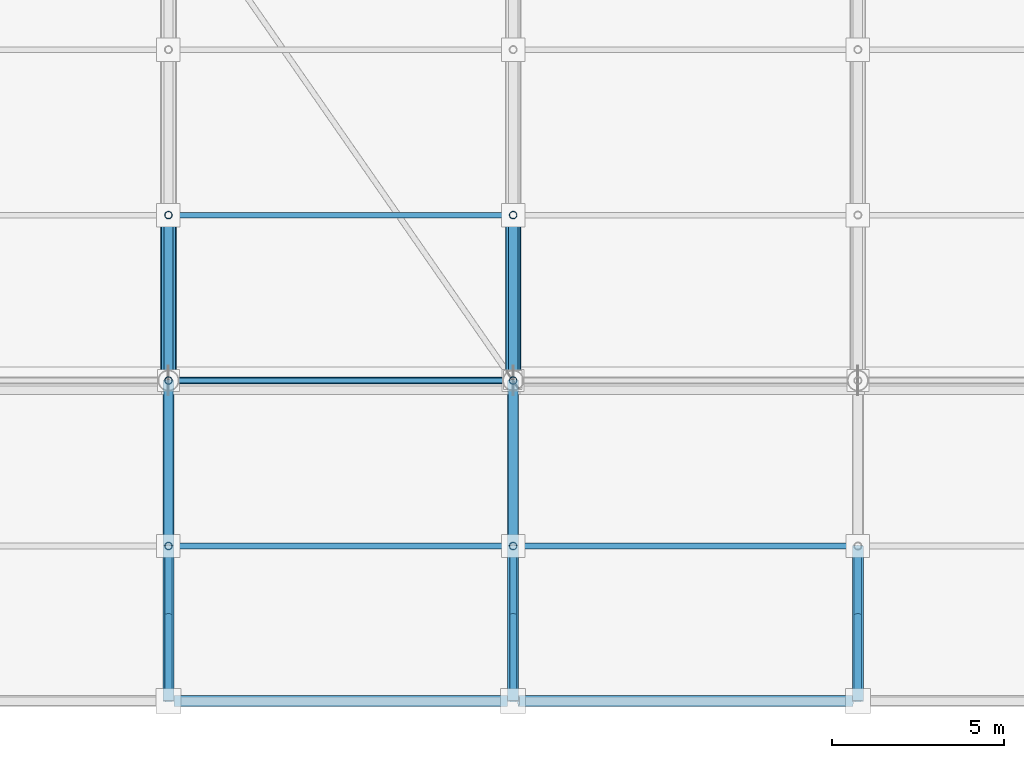
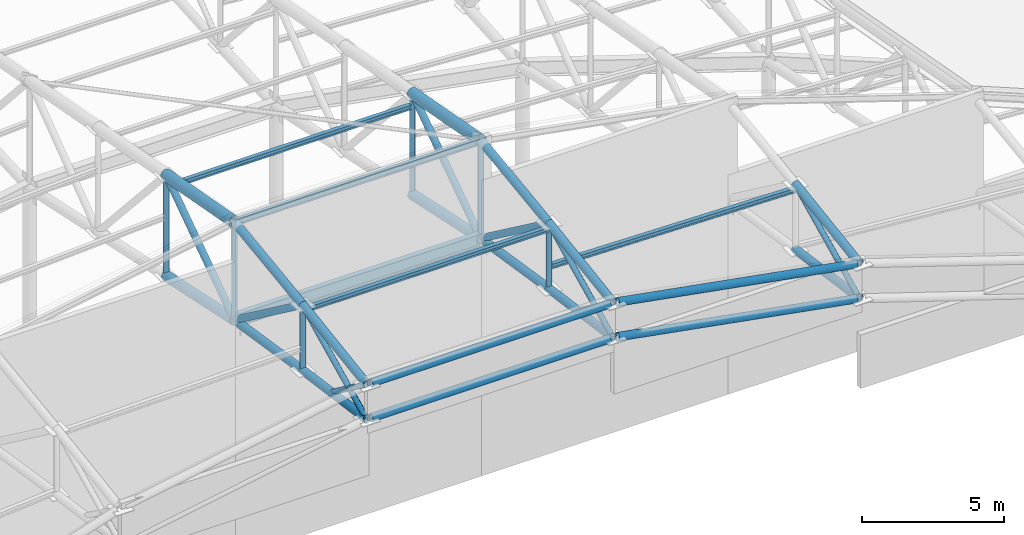
# One storey, part 32 of 146: 37 members, 2 beams.
"""IFC4 building model written with IfcOpenShell, lengths in metres."""

from ifc_helpers import new_model, si_unit, direction, frame, origin, origin_2d, place, context, subcontext, project, spatial, hollow_circle, i_section, extrude, material, material_profile, profile_set, type_object, element, save


model = new_model("IFC4")

# Units and contexts
model_context = context("Model", 3, precision=1e-05, world=origin(), true_north=direction((0.0, 1.0)))
body_context = subcontext(model_context, "Body", "Model", "MODEL_VIEW")
ifc_project = project(units=[si_unit("LENGTHUNIT", "METRE"), si_unit("AREAUNIT", "SQUARE_METRE"), si_unit("VOLUMEUNIT", "CUBIC_METRE"), si_unit("PLANEANGLEUNIT", "RADIAN"), si_unit("MASSUNIT", "GRAM", prefix="KILO")], contexts=[model_context])

# Site, building, storey
site_placement = place(None, origin())
site = spatial("IfcSite", under=ifc_project, at=site_placement, CompositionType="ELEMENT")
building_placement = place(site_placement, origin())
building = spatial("IfcBuilding", under=site, at=building_placement, Name="Candeia Ridge Stadium", CompositionType="ELEMENT")
storey_placement = place(building_placement, frame((0.0, 0.0, 31.800048828125)))
storey = spatial("IfcBuildingStorey", under=building, at=storey_placement, Name="RF", CompositionType="ELEMENT", Elevation=31.800048828125)

# Beams
ifc_material = material(Name="Steel ASTM A572 Grade 50", Category="steel")
ifc_material_profile_1 = material_profile(ifc_material, i_section(OverallWidth=0.14794921875, OverallDepth=0.26611328125, WebThickness=0.007568359375, FlangeThickness=0.012939453125, FilletRadius=0.010986328125, at=origin_2d()), Name="W250x44.8", Category="steel")
ifc_profile_set_1 = profile_set([ifc_material_profile_1], Name="Steel ASTM A572 Grade 50")
beam_type_1 = type_object("IfcBeamType", Name="Canopy Edge Spandrel W250x44.8", PredefinedType="SPANDREL", material=ifc_profile_set_1)
beam_1_placement = place(storey_placement, frame((101.0400390625, 19.0, 13.76416015625), z_axis=(1.0, 0.0, 0.0), x_axis=(0.0, 1.0, 0.0)))
element("IfcBeam", 1, at=beam_1_placement, inside=storey, type_object=beam_type_1, Name="Roof crown cap ring beam bay 22", PredefinedType="SPANDREL", context=body_context, shape_type="SweptSolid", body=[
    extrude(i_section(OverallWidth=0.14794921875, OverallDepth=0.26611328125, WebThickness=0.007568359375, FlangeThickness=0.012939453125, FilletRadius=0.010986328125, at=origin_2d()), origin(), (0.0, 0.0, 1.0), 9.919921875),
])
ifc_material_profile_2 = material_profile(ifc_material, i_section(OverallWidth=0.2119140625, OverallDepth=0.5439453125, WebThickness=0.01318359375, FlangeThickness=0.021240234375, FilletRadius=0.013916015625, at=origin_2d()), Name="W530x123", Category="steel")
ifc_profile_set_2 = profile_set([ifc_material_profile_2], Name="Steel ASTM A572 Grade 50")
beam_type_2 = type_object("IfcBeamType", Name="Roof Perimeter Ring Beam W530x123", PredefinedType="BEAM", material=ifc_profile_set_2)
beam_2_placement = place(storey_placement, frame((101.0400390625, 19.0, 9.564208984375), z_axis=(1.0, 0.0, 0.0), x_axis=(0.0, 1.0, 0.0)))
element("IfcBeam", 2, at=beam_2_placement, inside=storey, type_object=beam_type_2, Name="Roof perimeter ring beam bay 22", PredefinedType="BEAM", context=body_context, shape_type="SweptSolid", body=[
    extrude(i_section(OverallWidth=0.2119140625, OverallDepth=0.5439453125, WebThickness=0.01318359375, FlangeThickness=0.021240234375, FilletRadius=0.013916015625, at=origin_2d()), origin(), (0.0, 0.0, 1.0), 9.919921875),
])

# Members
ifc_material_profile_3 = material_profile(ifc_material, i_section(OverallWidth=0.1650390625, OverallDepth=0.200927734375, WebThickness=0.006103515625, FlangeThickness=0.01025390625, FilletRadius=0.010009765625, at=origin_2d()), Name="W200x35.9", Category="steel")
ifc_profile_set_3 = profile_set([ifc_material_profile_3], Name="Steel ASTM A572 Grade 50")
member_type_1 = type_object("IfcMemberType", Name="Roof Purlin W200x35.9", PredefinedType="PURLIN", material=ifc_profile_set_3)
for number, where, z_axis, x_axis, name in (
    (3, (101.050048828125, 23.800048828125, 12.356201171875), (1.0, 0.0, 0.0), (0.0, 1.0, 0.0), "Saddle roof steel purlin bay 22-4"),
    (4, (101.050048828125, 14.199951171875, 12.902587890625), (1.0, 0.0, 0.0), (0.0, 1.0, 0.0), "Saddle roof steel purlin bay 22-5"),
):
    element("IfcMember", number, at=place(storey_placement, frame(where, z_axis=z_axis, x_axis=x_axis)), inside=storey, type_object=member_type_1, Name=name, PredefinedType="PURLIN", context=body_context, shape_type="SweptSolid", body=[
        extrude(i_section(OverallWidth=0.1650390625, OverallDepth=0.200927734375, WebThickness=0.006103515625, FlangeThickness=0.01025390625, FilletRadius=0.010009765625, at=origin_2d()), origin(), (0.0, 0.0, 1.0), 9.89990234375),
    ])
member_1_placement = place(storey_placement, frame((111.050048828125, 14.199951171875, 11.280517578125), z_axis=(0.999812193326, 0.0, -0.019379836842), x_axis=(0.0, 1.0, 0.0)))
element("IfcMember", 5, at=member_1_placement, inside=storey, type_object=member_type_1, Name="Saddle roof steel purlin bay 23-5", PredefinedType="PURLIN", context=body_context, shape_type="SweptSolid", body=[
    extrude(i_section(OverallWidth=0.1650390625, OverallDepth=0.200927734375, WebThickness=0.006103515625, FlangeThickness=0.01025390625, FilletRadius=0.010009765625, at=origin_2d()), origin(), (0.0, 0.0, 1.0), 9.90185546875),
])
ifc_material_profile_4 = material_profile(ifc_material, hollow_circle(Radius=0.161865234375, WallThickness=0.012451171875, at=origin_2d()), Name="CHS323x12", Category="steel")
ifc_profile_set_4 = profile_set([ifc_material_profile_4], Name="Steel ASTM A572 Grade 50")
member_type_2 = type_object("IfcMemberType", Name="Roof Truss Eaves Chord CHS323x12", PredefinedType="CHORD", material=ifc_profile_set_4)
member_2_placement = place(storey_placement, frame((101.0, 19.0, 13.76416015625), z_axis=(0.0, -0.991184698971, -0.132487329683), x_axis=(1.0, 0.0, 0.0)))
element("IfcMember", 6, at=member_2_placement, inside=storey, type_object=member_type_2, Name="Roof cantilever truss RT-22 top chord 7", PredefinedType="CHORD", context=body_context, shape_type="SweptSolid", body=[
    extrude(hollow_circle(Radius=0.161865234375, WallThickness=0.012451171875, at=origin_2d()), origin(), (0.0, 0.0, 1.0), 4.8427734375),
])
member_3_placement = place(storey_placement, frame((101.0, 19.0, 9.564208984375), z_axis=(0.0, -0.987950881294, 0.154767749066), x_axis=(1.0, 0.0, 0.0)))
element("IfcMember", 7, at=member_3_placement, inside=storey, type_object=member_type_2, Name="Roof cantilever truss RT-22 bottom chord 7", PredefinedType="CHORD", context=body_context, shape_type="SweptSolid", body=[
    extrude(hollow_circle(Radius=0.161865234375, WallThickness=0.012451171875, at=origin_2d()), origin(), (0.0, 0.0, 1.0), 4.858642578125),
])
member_4_placement = place(storey_placement, frame((101.0, 14.199951171875, 13.12255859375), z_axis=(0.0, -0.988863828185, -0.148823147753), x_axis=(1.0, 0.0, 0.0)))
element("IfcMember", 8, at=member_4_placement, inside=storey, type_object=member_type_2, Name="Roof cantilever truss RT-22 top chord 8", PredefinedType="CHORD", context=body_context, shape_type="SweptSolid", body=[
    extrude(hollow_circle(Radius=0.161865234375, WallThickness=0.012451171875, at=origin_2d()), origin(), (0.0, 0.0, 1.0), 4.55078125),
])
member_5_placement = place(storey_placement, frame((101.0, 14.199951171875, 10.316162109375), z_axis=(0.0, -0.990367404155, 0.138464453153), x_axis=(1.0, 0.0, 0.0)))
element("IfcMember", 9, at=member_5_placement, inside=storey, type_object=member_type_2, Name="Roof cantilever truss RT-22 bottom chord 8", PredefinedType="CHORD", context=body_context, shape_type="SweptSolid", body=[
    extrude(hollow_circle(Radius=0.161865234375, WallThickness=0.012451171875, at=origin_2d()), origin(), (0.0, 0.0, 1.0), 4.543701171875),
])
for number, where, z_axis, x_axis, name in (
    (10, (101.159912109375, 9.699951171875, 12.4453125), (1.0, 0.0, 0.0), (0.0, 1.0, 0.0), "Saddle roof outer eaves top ring chord bay 22"),
    (11, (101.159912109375, 9.699951171875, 10.9453125), (1.0, 0.0, 0.0), (0.0, 1.0, 0.0), "Saddle roof outer eaves bottom ring chord bay 22"),
):
    element("IfcMember", number, at=place(storey_placement, frame(where, z_axis=z_axis, x_axis=x_axis)), inside=storey, type_object=member_type_2, Name=name, PredefinedType="CHORD", context=body_context, shape_type="SweptSolid", body=[
        extrude(hollow_circle(Radius=0.161865234375, WallThickness=0.012451171875, at=origin_2d()), origin(), (0.0, 0.0, 1.0), 9.68017578125),
    ])
member_6_placement = place(storey_placement, frame((111.0, 19.0, 13.76416015625), z_axis=(0.0, -0.991184698971, -0.132487329683), x_axis=(1.0, 0.0, 0.0)))
element("IfcMember", 12, at=member_6_placement, inside=storey, type_object=member_type_2, Name="Roof cantilever truss RT-23 top chord 7", PredefinedType="CHORD", context=body_context, shape_type="SweptSolid", body=[
    extrude(hollow_circle(Radius=0.161865234375, WallThickness=0.012451171875, at=origin_2d()), origin(), (0.0, 0.0, 1.0), 4.8427734375),
])
member_7_placement = place(storey_placement, frame((111.0, 19.0, 9.564208984375), z_axis=(0.0, -0.987950881294, 0.154767749066), x_axis=(1.0, 0.0, 0.0)))
element("IfcMember", 13, at=member_7_placement, inside=storey, type_object=member_type_2, Name="Roof cantilever truss RT-23 bottom chord 7", PredefinedType="CHORD", context=body_context, shape_type="SweptSolid", body=[
    extrude(hollow_circle(Radius=0.161865234375, WallThickness=0.012451171875, at=origin_2d()), origin(), (0.0, 0.0, 1.0), 4.858642578125),
])
member_8_placement = place(storey_placement, frame((111.0, 14.199951171875, 13.12255859375), z_axis=(0.0, -0.988863828185, -0.148823147753), x_axis=(1.0, 0.0, 0.0)))
element("IfcMember", 14, at=member_8_placement, inside=storey, type_object=member_type_2, Name="Roof cantilever truss RT-23 top chord 8", PredefinedType="CHORD", context=body_context, shape_type="SweptSolid", body=[
    extrude(hollow_circle(Radius=0.161865234375, WallThickness=0.012451171875, at=origin_2d()), origin(), (0.0, 0.0, 1.0), 4.55078125),
])
member_9_placement = place(storey_placement, frame((111.0, 14.199951171875, 10.316162109375), z_axis=(0.0, -0.990367404155, 0.138464453153), x_axis=(1.0, 0.0, 0.0)))
element("IfcMember", 15, at=member_9_placement, inside=storey, type_object=member_type_2, Name="Roof cantilever truss RT-23 bottom chord 8", PredefinedType="CHORD", context=body_context, shape_type="SweptSolid", body=[
    extrude(hollow_circle(Radius=0.161865234375, WallThickness=0.012451171875, at=origin_2d()), origin(), (0.0, 0.0, 1.0), 4.543701171875),
])
for number, where, z_axis, x_axis, name in (
    (16, (111.157470703125, 9.699951171875, 12.416748046875), (0.983921062478, 0.0, -0.17860387121), (0.0, 1.0, 0.0), "Saddle roof outer eaves top ring chord bay 23"),
    (17, (111.157470703125, 9.699951171875, 10.916748046875), (0.983921062478, 0.0, -0.17860387121), (0.0, 1.0, 0.0), "Saddle roof outer eaves bottom ring chord bay 23"),
):
    element("IfcMember", number, at=place(storey_placement, frame(where, z_axis=z_axis, x_axis=x_axis)), inside=storey, type_object=member_type_2, Name=name, PredefinedType="CHORD", context=body_context, shape_type="SweptSolid", body=[
        extrude(hollow_circle(Radius=0.161865234375, WallThickness=0.012451171875, at=origin_2d()), origin(), (0.0, 0.0, 1.0), 9.84326171875),
    ])
member_10_placement = place(storey_placement, frame((121.0, 14.199951171875, 11.3076171875), z_axis=(0.0, -0.988855931513, -0.148875608179), x_axis=(1.0, 0.0, 0.0)))
element("IfcMember", 18, at=member_10_placement, inside=storey, type_object=member_type_2, Name="Roof cantilever truss RT-24 top chord 8", PredefinedType="CHORD", context=body_context, shape_type="SweptSolid", body=[
    extrude(hollow_circle(Radius=0.161865234375, WallThickness=0.012451171875, at=origin_2d()), origin(), (0.0, 0.0, 1.0), 4.55078125),
])
member_11_placement = place(storey_placement, frame((121.0, 14.199951171875, 8.5009765625), z_axis=(0.0, -0.990367404155, 0.138464453153), x_axis=(1.0, 0.0, 0.0)))
element("IfcMember", 19, at=member_11_placement, inside=storey, type_object=member_type_2, Name="Roof cantilever truss RT-24 bottom chord 8", PredefinedType="CHORD", context=body_context, shape_type="SweptSolid", body=[
    extrude(hollow_circle(Radius=0.161865234375, WallThickness=0.012451171875, at=origin_2d()), origin(), (0.0, 0.0, 1.0), 4.543701171875),
])
ifc_material_profile_5 = material_profile(ifc_material, hollow_circle(Radius=0.136474609375, WallThickness=0.010009765625, at=origin_2d()), Name="CHS273x10", Category="steel")
ifc_profile_set_5 = profile_set([ifc_material_profile_5], Name="Steel ASTM A572 Grade 50")
member_type_3 = type_object("IfcMemberType", Name="Roof Truss Heavy Web Brace CHS273x10", PredefinedType="BRACE", material=ifc_profile_set_5)
member_12_placement = place(storey_placement, frame((101.0, 23.800048828125, 12.876220703125), z_axis=(0.0, -0.823081876777, -0.567922727245), x_axis=(1.0, 0.0, 0.0)))
element("IfcMember", 20, at=member_12_placement, inside=storey, type_object=member_type_3, Name="Roof cantilever truss RT-22 diagonal web 6", PredefinedType="BRACE", context=body_context, shape_type="SweptSolid", body=[
    extrude(hollow_circle(Radius=0.136474609375, WallThickness=0.010009765625, at=origin_2d()), origin(), (0.0, 0.0, 1.0), 5.831787109375),
])
member_13_placement = place(storey_placement, frame((101.0, 19.0, 9.564208984375), z_axis=(0.0, -0.803336374347, 0.595525540721), x_axis=(1.0, 0.0, 0.0)))
element("IfcMember", 21, at=member_13_placement, inside=storey, type_object=member_type_3, Name="Roof cantilever truss RT-22 diagonal web 7", PredefinedType="BRACE", context=body_context, shape_type="SweptSolid", body=[
    extrude(hollow_circle(Radius=0.136474609375, WallThickness=0.010009765625, at=origin_2d()), origin(), (0.0, 0.0, 1.0), 5.97509765625),
])
member_14_placement = place(storey_placement, frame((111.0, 23.800048828125, 12.876220703125), z_axis=(0.0, -0.823081876777, -0.567922727245), x_axis=(1.0, 0.0, 0.0)))
element("IfcMember", 22, at=member_14_placement, inside=storey, type_object=member_type_3, Name="Roof cantilever truss RT-23 diagonal web 6", PredefinedType="BRACE", context=body_context, shape_type="SweptSolid", body=[
    extrude(hollow_circle(Radius=0.136474609375, WallThickness=0.010009765625, at=origin_2d()), origin(), (0.0, 0.0, 1.0), 5.831787109375),
])
member_15_placement = place(storey_placement, frame((111.0, 19.0, 9.564208984375), z_axis=(0.0, -0.803336374347, 0.595525540721), x_axis=(1.0, 0.0, 0.0)))
element("IfcMember", 23, at=member_15_placement, inside=storey, type_object=member_type_3, Name="Roof cantilever truss RT-23 diagonal web 7", PredefinedType="BRACE", context=body_context, shape_type="SweptSolid", body=[
    extrude(hollow_circle(Radius=0.136474609375, WallThickness=0.010009765625, at=origin_2d()), origin(), (0.0, 0.0, 1.0), 5.97509765625),
])
ifc_material_profile_6 = material_profile(ifc_material, hollow_circle(Radius=0.109619140625, WallThickness=0.010009765625, at=origin_2d()), Name="CHS219x10", Category="steel")
ifc_profile_set_6 = profile_set([ifc_material_profile_6], Name="Steel ASTM A572 Grade 50")
member_type_4 = type_object("IfcMemberType", Name="Roof Truss Inner Web Brace CHS219x10", PredefinedType="BRACE", material=ifc_profile_set_6)
member_16_placement = place(storey_placement, frame((101.0, 14.199951171875, 13.12255859375), z_axis=(0.0, -0.900172839827, -0.43553284427), x_axis=(1.0, 0.0, 0.0)))
element("IfcMember", 24, at=member_16_placement, inside=storey, type_object=member_type_4, Name="Roof cantilever truss RT-22 diagonal web 8", PredefinedType="BRACE", context=body_context, shape_type="SweptSolid", body=[
    extrude(hollow_circle(Radius=0.109619140625, WallThickness=0.010009765625, at=origin_2d()), origin(), (0.0, 0.0, 1.0), 4.9990234375),
])
member_17_placement = place(storey_placement, frame((101.0, 23.800048828125, 8.54296875), z_axis=(0.0, 0.0, 1.0), x_axis=(1.0, 0.0, 0.0)))
element("IfcMember", 25, at=member_17_placement, inside=storey, type_object=member_type_4, Name="Roof cantilever truss RT-22 vertical post 5", PredefinedType="BRACE", context=body_context, shape_type="SweptSolid", body=[
    extrude(hollow_circle(Radius=0.109619140625, WallThickness=0.010009765625, at=origin_2d()), origin(), (0.0, 0.0, 1.0), 4.333251953125),
])
member_18_placement = place(storey_placement, frame((101.0, 19.0, 9.564208984375), z_axis=(0.0, 0.0, 1.0), x_axis=(1.0, 0.0, 0.0)))
element("IfcMember", 26, at=member_18_placement, inside=storey, type_object=member_type_4, Name="Roof cantilever truss RT-22 vertical post 6", PredefinedType="BRACE", context=body_context, shape_type="SweptSolid", body=[
    extrude(hollow_circle(Radius=0.109619140625, WallThickness=0.010009765625, at=origin_2d()), origin(), (0.0, 0.0, 1.0), 4.199951171875),
])
member_19_placement = place(storey_placement, frame((101.0, 14.199951171875, 10.316162109375), z_axis=(0.0, 0.0, 1.0), x_axis=(1.0, 0.0, 0.0)))
element("IfcMember", 27, at=member_19_placement, inside=storey, type_object=member_type_4, Name="Roof cantilever truss RT-22 vertical post 7", PredefinedType="BRACE", context=body_context, shape_type="SweptSolid", body=[
    extrude(hollow_circle(Radius=0.109619140625, WallThickness=0.010009765625, at=origin_2d()), origin(), (0.0, 0.0, 1.0), 2.806396484375),
])
member_20_placement = place(storey_placement, frame((101.0, 12.175048828125, 10.599365234375), z_axis=(0.0, -0.80161013398, 0.597847131883), x_axis=(1.0, 0.0, 0.0)))
element("IfcMember", 28, at=member_20_placement, inside=storey, type_object=member_type_4, Name="Roof cantilever truss RT-22 vertical post 8", PredefinedType="BRACE", context=body_context, shape_type="SweptSolid", body=[
    extrude(hollow_circle(Radius=0.109619140625, WallThickness=0.010009765625, at=origin_2d()), origin(), (0.0, 0.0, 1.0), 3.087646484375),
])
member_21_placement = place(storey_placement, frame((111.0, 14.199951171875, 13.12255859375), z_axis=(0.0, -0.900172839827, -0.43553284427), x_axis=(1.0, 0.0, 0.0)))
element("IfcMember", 29, at=member_21_placement, inside=storey, type_object=member_type_4, Name="Roof cantilever truss RT-23 diagonal web 8", PredefinedType="BRACE", context=body_context, shape_type="SweptSolid", body=[
    extrude(hollow_circle(Radius=0.109619140625, WallThickness=0.010009765625, at=origin_2d()), origin(), (0.0, 0.0, 1.0), 4.9990234375),
])
member_22_placement = place(storey_placement, frame((111.0, 23.800048828125, 8.54296875), z_axis=(0.0, 0.0, 1.0), x_axis=(1.0, 0.0, 0.0)))
element("IfcMember", 30, at=member_22_placement, inside=storey, type_object=member_type_4, Name="Roof cantilever truss RT-23 vertical post 5", PredefinedType="BRACE", context=body_context, shape_type="SweptSolid", body=[
    extrude(hollow_circle(Radius=0.109619140625, WallThickness=0.010009765625, at=origin_2d()), origin(), (0.0, 0.0, 1.0), 4.333251953125),
])
member_23_placement = place(storey_placement, frame((111.0, 19.0, 9.564208984375), z_axis=(0.0, 0.0, 1.0), x_axis=(1.0, 0.0, 0.0)))
element("IfcMember", 31, at=member_23_placement, inside=storey, type_object=member_type_4, Name="Roof cantilever truss RT-23 vertical post 6", PredefinedType="BRACE", context=body_context, shape_type="SweptSolid", body=[
    extrude(hollow_circle(Radius=0.109619140625, WallThickness=0.010009765625, at=origin_2d()), origin(), (0.0, 0.0, 1.0), 4.199951171875),
])
member_24_placement = place(storey_placement, frame((111.0, 14.199951171875, 10.316162109375), z_axis=(0.0, 0.0, 1.0), x_axis=(1.0, 0.0, 0.0)))
element("IfcMember", 32, at=member_24_placement, inside=storey, type_object=member_type_4, Name="Roof cantilever truss RT-23 vertical post 7", PredefinedType="BRACE", context=body_context, shape_type="SweptSolid", body=[
    extrude(hollow_circle(Radius=0.109619140625, WallThickness=0.010009765625, at=origin_2d()), origin(), (0.0, 0.0, 1.0), 2.806396484375),
])
member_25_placement = place(storey_placement, frame((111.0, 12.175048828125, 10.599365234375), z_axis=(0.0, -0.80161013398, 0.597847131883), x_axis=(1.0, 0.0, 0.0)))
element("IfcMember", 33, at=member_25_placement, inside=storey, type_object=member_type_4, Name="Roof cantilever truss RT-23 vertical post 8", PredefinedType="BRACE", context=body_context, shape_type="SweptSolid", body=[
    extrude(hollow_circle(Radius=0.109619140625, WallThickness=0.010009765625, at=origin_2d()), origin(), (0.0, 0.0, 1.0), 3.087646484375),
])
member_26_placement = place(storey_placement, frame((121.0, 14.199951171875, 11.3076171875), z_axis=(0.0, -0.900153692386, -0.435572416579), x_axis=(1.0, 0.0, 0.0)))
element("IfcMember", 34, at=member_26_placement, inside=storey, type_object=member_type_4, Name="Roof cantilever truss RT-24 diagonal web 8", PredefinedType="BRACE", context=body_context, shape_type="SweptSolid", body=[
    extrude(hollow_circle(Radius=0.109619140625, WallThickness=0.010009765625, at=origin_2d()), origin(), (0.0, 0.0, 1.0), 4.999267578125),
])
member_27_placement = place(storey_placement, frame((121.0, 12.175048828125, 8.7841796875), z_axis=(0.0, -0.80161013398, 0.597847131883), x_axis=(1.0, 0.0, 0.0)))
element("IfcMember", 35, at=member_27_placement, inside=storey, type_object=member_type_4, Name="Roof cantilever truss RT-24 vertical post 8", PredefinedType="BRACE", context=body_context, shape_type="SweptSolid", body=[
    extrude(hollow_circle(Radius=0.109619140625, WallThickness=0.010009765625, at=origin_2d()), origin(), (0.0, 0.0, 1.0), 3.087646484375),
])
ifc_material_profile_7 = material_profile(ifc_material, hollow_circle(Radius=0.228515625, WallThickness=0.02001953125, at=origin_2d()), Name="CHS457x20", Category="steel")
ifc_profile_set_7 = profile_set([ifc_material_profile_7], Name="Steel ASTM A572 Grade 50")
member_type_5 = type_object("IfcMemberType", Name="Roof Truss Main Chord CHS457x20", PredefinedType="CHORD", material=ifc_profile_set_7)
for number, where, z_axis, x_axis, name in (
    (36, (101.0, 23.800048828125, 12.876220703125), (0.0, -0.983317142098, 0.181899417416), (1.0, 0.0, 0.0), "Roof cantilever truss RT-22 top chord 6"),
    (37, (111.0, 23.800048828125, 12.876220703125), (0.0, -0.983317142098, 0.181899417416), (1.0, 0.0, 0.0), "Roof cantilever truss RT-23 top chord 6"),
):
    element("IfcMember", number, at=place(storey_placement, frame(where, z_axis=z_axis, x_axis=x_axis)), inside=storey, type_object=member_type_5, Name=name, PredefinedType="CHORD", context=body_context, shape_type="SweptSolid", body=[
        extrude(hollow_circle(Radius=0.228515625, WallThickness=0.02001953125, at=origin_2d()), origin(), (0.0, 0.0, 1.0), 4.881591796875),
    ])
ifc_material_profile_8 = material_profile(ifc_material, hollow_circle(Radius=0.202880859375, WallThickness=0.01611328125, at=origin_2d()), Name="CHS406x16", Category="steel")
ifc_profile_set_8 = profile_set([ifc_material_profile_8], Name="Steel ASTM A572 Grade 50")
member_type_6 = type_object("IfcMemberType", Name="Roof Truss Outer Chord CHS406x16", PredefinedType="CHORD", material=ifc_profile_set_8)
for number, where, z_axis, x_axis, name in (
    (38, (101.0, 23.800048828125, 8.54296875), (0.0, -0.97810786804, 0.208098530696), (1.0, 0.0, 0.0), "Roof cantilever truss RT-22 bottom chord 6"),
    (39, (111.0, 23.800048828125, 8.54296875), (0.0, -0.97810786804, 0.208098530696), (1.0, 0.0, 0.0), "Roof cantilever truss RT-23 bottom chord 6"),
):
    element("IfcMember", number, at=place(storey_placement, frame(where, z_axis=z_axis, x_axis=x_axis)), inside=storey, type_object=member_type_6, Name=name, PredefinedType="CHORD", context=body_context, shape_type="SweptSolid", body=[
        extrude(hollow_circle(Radius=0.202880859375, WallThickness=0.01611328125, at=origin_2d()), origin(), (0.0, 0.0, 1.0), 4.907470703125),
    ])

save(model, "model.ifc")
